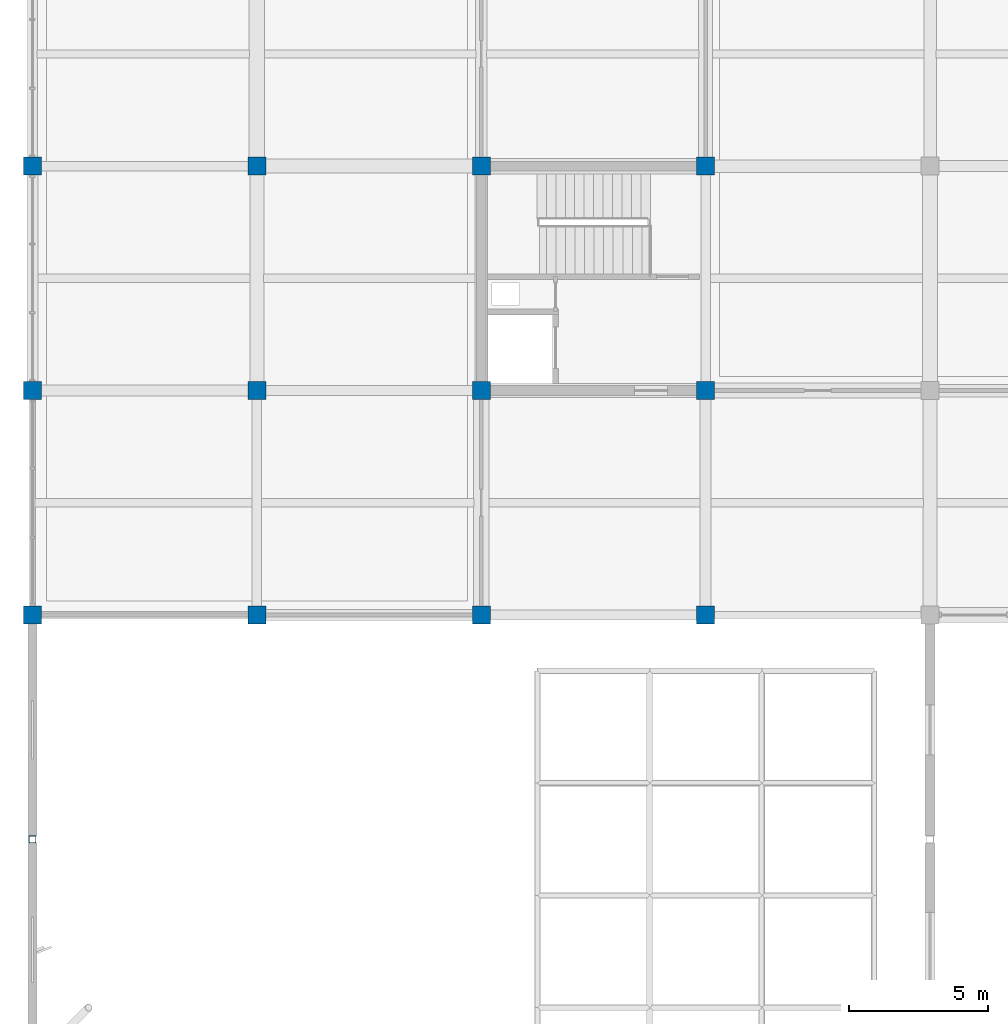
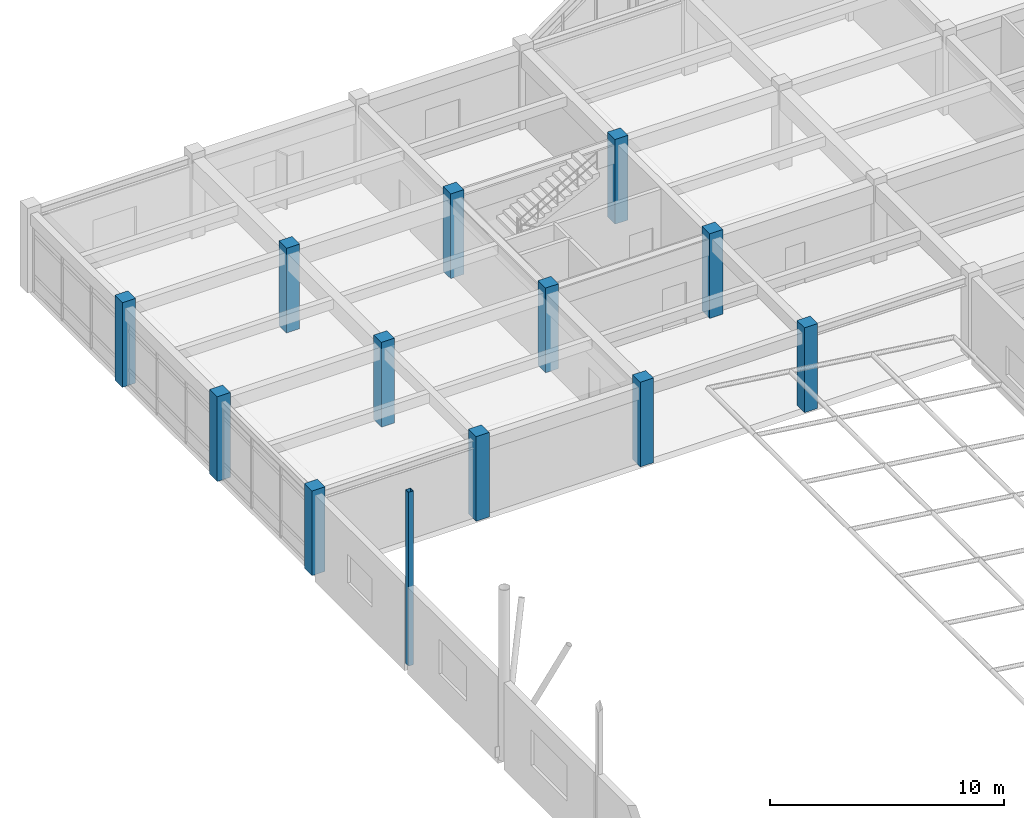
# One storey, part 8 of 89: 13 columns.
"""IFC4 building model written with IfcOpenShell, lengths in metres."""

from ifc_helpers import new_model, si_unit, direction, frame, origin, origin_2d, place, context, subcontext, project, spatial, rectangle, hollow_rectangle, extrude, material, material_profile, profile_set, type_object, element, save


model = new_model("IFC4")

# Units and contexts
model_context = context("Model", 3, precision=1e-05, world=origin(), true_north=direction((0.0, 1.0)))
body_context = subcontext(model_context, "Body", "Model", "MODEL_VIEW")
ifc_project = project(units=[si_unit("LENGTHUNIT", "METRE"), si_unit("AREAUNIT", "SQUARE_METRE"), si_unit("VOLUMEUNIT", "CUBIC_METRE"), si_unit("PLANEANGLEUNIT", "RADIAN"), si_unit("MASSUNIT", "GRAM", prefix="KILO")], contexts=[model_context])

# Site, building, storey
site_placement = place(None, origin())
site = spatial("IfcSite", under=ifc_project, at=site_placement, CompositionType="ELEMENT")
building_placement = place(site_placement, origin())
building = spatial("IfcBuilding", under=site, at=building_placement, Name="Vaudrelin Polytechnic", CompositionType="ELEMENT")
storey_placement = place(building_placement, frame((0.0, 0.0, 9.68994140625)))
storey = spatial("IfcBuildingStorey", under=building, at=storey_placement, Name="L02", CompositionType="ELEMENT", Elevation=9.68994140625)

# Columns
ifc_material_1 = material(Name="Steel CSA G40.21 350W", Category="steel")
ifc_material_profile_1 = material_profile(ifc_material_1, hollow_rectangle(XDim=0.25390625, YDim=0.25390625, WallThickness=0.0126953125, InnerFilletRadius=0.0126953125, OuterFilletRadius=0.025390625, at=origin_2d()), Name="HSS254x254x12.7")
ifc_profile_set_1 = profile_set([ifc_material_profile_1], Name="Steel CSA G40.21 350W")
column_type_1 = type_object("IfcColumnType", Name="COL-C-HSS254", PredefinedType="COLUMN", material=ifc_profile_set_1)
column_placement = place(storey_placement, frame((0.0, 89.10009765625, 0.0), z_axis=(0.0, 0.0, 1.0), x_axis=(1.0, 0.0, 0.0)))
element("IfcColumn", 1, at=column_placement, inside=storey, type_object=column_type_1, Name="Workshop roof perimeter post 0-11", PredefinedType="COLUMN", context=body_context, shape_type="SweptSolid", body=[
    extrude(hollow_rectangle(XDim=0.25390625, YDim=0.25390625, WallThickness=0.0126953125, InnerFilletRadius=0.0126953125, OuterFilletRadius=0.025390625, at=origin_2d()), origin(), (0.0, 0.0, 1.0), 9.065673828125),
])
ifc_material_2 = material(Name="Concrete 40 MPa", Category="concrete")
ifc_material_profile_2 = material_profile(ifc_material_2, rectangle(XDim=0.64990234375, YDim=0.64990234375, at=origin_2d()), Name="RC650x650")
ifc_profile_set_2 = profile_set([ifc_material_profile_2], Name="Concrete 40 MPa")
column_type_2 = type_object("IfcColumnType", Name="COL-C-RC650", PredefinedType="COLUMN", material=ifc_profile_set_2)
for number, where, z_axis, x_axis, name in (
    (2, (0.0, 97.199951171875, 0.0), (0.0, 0.0, 1.0), (1.0, 0.0, 0.0), "Column L02 1-13"),
    (3, (0.0, 105.300048828125, 0.0), (0.0, 0.0, 1.0), (1.0, 0.0, 0.0), "Column L02 1-14"),
    (4, (0.0, 113.39990234375, 0.0), (0.0, 0.0, 1.0), (1.0, 0.0, 0.0), "Column L02 1-15"),
    (5, (8.10009765625, 97.199951171875, 0.0), (0.0, 0.0, 1.0), (1.0, 0.0, 0.0), "Column L02 2-13"),
    (6, (8.10009765625, 105.300048828125, 0.0), (0.0, 0.0, 1.0), (1.0, 0.0, 0.0), "Column L02 2-14"),
    (7, (8.10009765625, 113.39990234375, 0.0), (0.0, 0.0, 1.0), (1.0, 0.0, 0.0), "Column L02 2-15"),
    (8, (16.199951171875, 97.199951171875, 0.0), (0.0, 0.0, 1.0), (1.0, 0.0, 0.0), "Column L02 3-13"),
    (9, (16.199951171875, 105.300048828125, 0.0), (0.0, 0.0, 1.0), (1.0, 0.0, 0.0), "Column L02 3-14"),
    (10, (16.199951171875, 113.39990234375, 0.0), (0.0, 0.0, 1.0), (1.0, 0.0, 0.0), "Column L02 3-15"),
    (11, (24.300048828125, 97.199951171875, 0.0), (0.0, 0.0, 1.0), (1.0, 0.0, 0.0), "Column L02 4-13"),
    (12, (24.300048828125, 105.300048828125, 0.0), (0.0, 0.0, 1.0), (1.0, 0.0, 0.0), "Column L02 4-14"),
    (13, (24.300048828125, 113.39990234375, 0.0), (0.0, 0.0, 1.0), (1.0, 0.0, 0.0), "Column L02 4-15"),
):
    element("IfcColumn", number, at=place(storey_placement, frame(where, z_axis=z_axis, x_axis=x_axis)), inside=storey, type_object=column_type_2, Name=name, PredefinedType="COLUMN", context=body_context, shape_type="SweptSolid", body=[
        extrude(rectangle(XDim=0.64990234375, YDim=0.64990234375, at=origin_2d()), origin(), (0.0, 0.0, 1.0), 4.420166015625),
    ])

save(model, "model.ifc")
